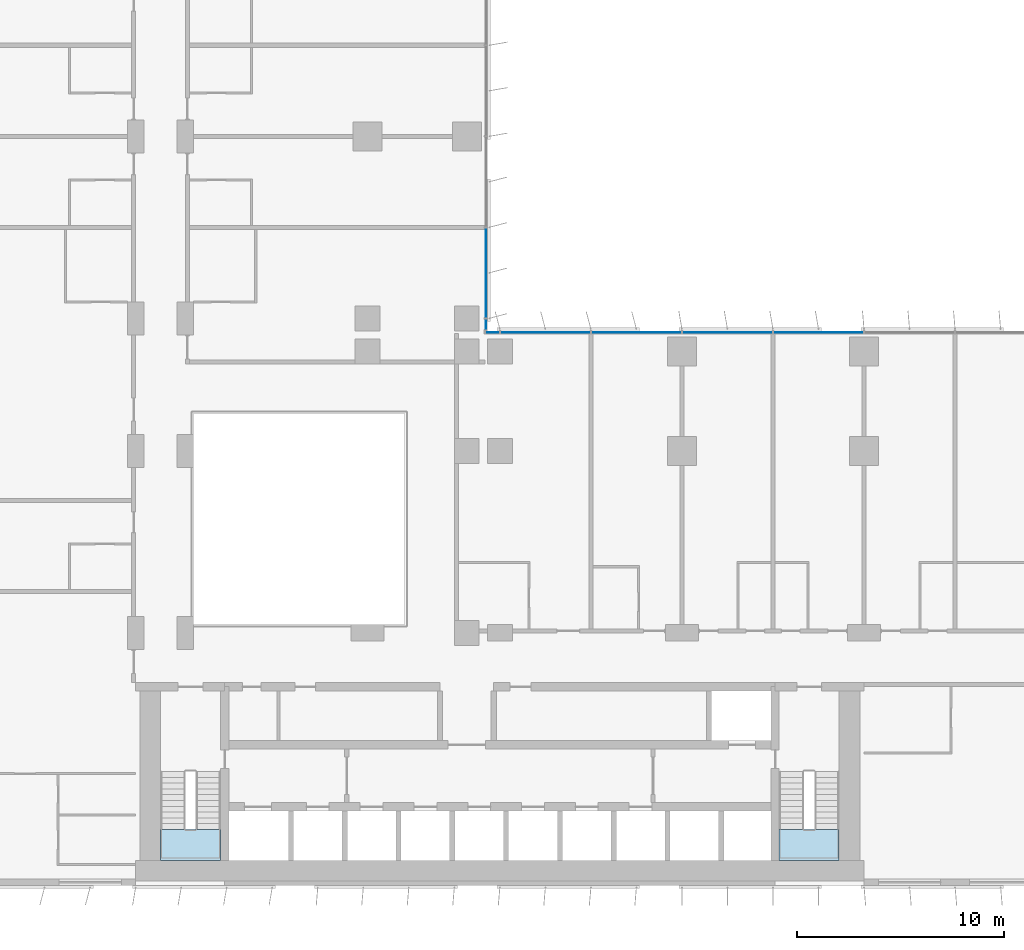
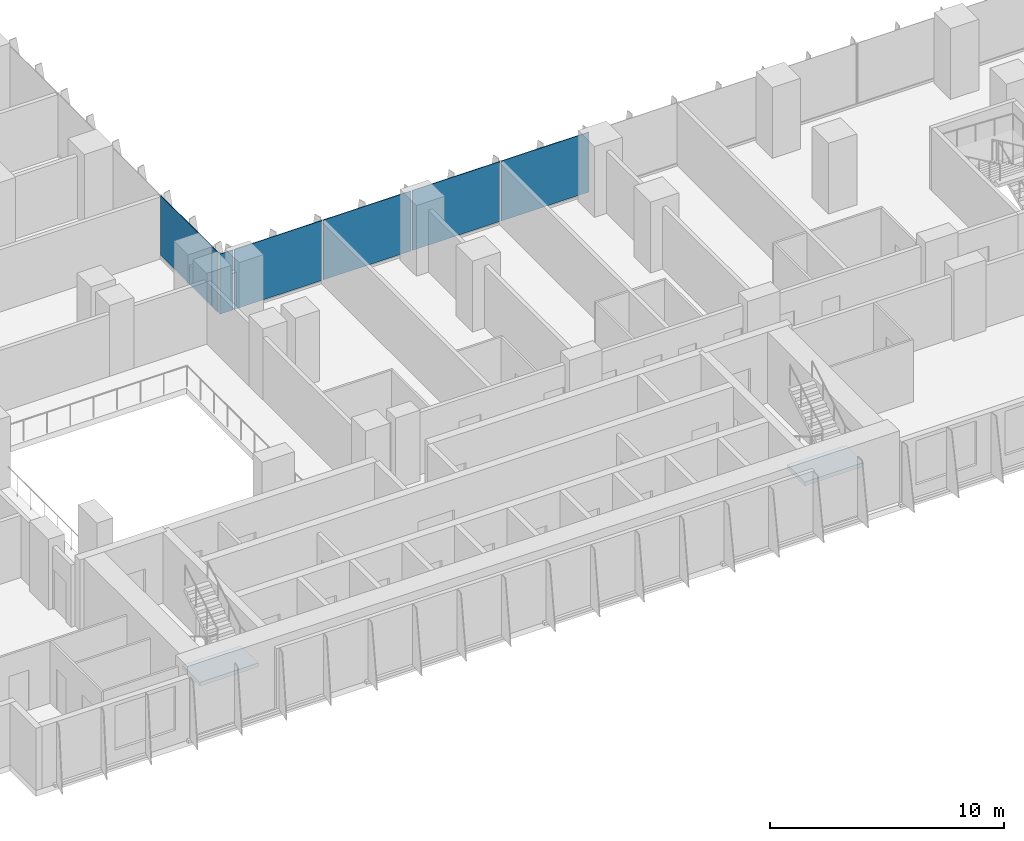
# One storey, part 10 of 23: 7 plates, 2 slabs, 4 elements without a shape of their own.
"""IFC4 building model written with IfcOpenShell, lengths in metres."""

import ifcopenshell
import ifcopenshell.guid

model = None  # the IFC model being written
_history = None  # IfcOwnerHistory: only IFC2X3 demands one
_inside = {}  # id of a spatial element -> (the spatial element, [elements in it])
_under = {}  # id of a project, library or spatial element -> (it, [spatial elements below it])
_declared = {}  # id of a project -> (the project, [libraries it declares])
_typed = {}  # id of a type object -> (the type object, [elements of that type])
_made_of = {}  # id of a material, layer set ... -> (it, [elements and type objects made of it])


def new_model(schema):
    """Start an empty IFC model of exactly this schema.

    Asked for "IFC4X3", IfcOpenShell would pick the latest addendum, in which some entities
    have other attributes; the version numbers below select the first issue.
    IFC2X3 requires an IfcOwnerHistory on every rooted entity: one is made here for all.
    """
    global model, _history
    if schema == "IFC4X3":
        model = ifcopenshell.file(schema_version=(4, 3, 0, 0))
    else:
        model = ifcopenshell.file(schema=schema)
    _inside.clear()
    _under.clear()
    _declared.clear()
    _typed.clear()
    _made_of.clear()
    _history = None
    if model.schema == "IFC2X3":
        org = make("IfcOrganization", Name="unknown")
        user = make(
            "IfcPersonAndOrganization",
            ThePerson=make("IfcPerson", FamilyName="unknown"),
            TheOrganization=org,
        )
        app = make(
            "IfcApplication",
            ApplicationDeveloper=org,
            Version="unknown",
            ApplicationFullName="unknown",
            ApplicationIdentifier="unknown",
        )
        _history = make(
            "IfcOwnerHistory",
            OwningUser=user,
            OwningApplication=app,
            ChangeAction="ADDED",
            CreationDate=0,
        )
    return model


def make(cls, **values):
    """One entity of the class cls with the attributes given. An attribute that is None is left unset."""
    return model.create_entity(
        cls, **{name: value for name, value in values.items() if value is not None}
    )


def rooted(cls, **values):
    """An entity with a GlobalId (a new one), such as an element, a storey or a relation."""
    return make(cls, GlobalId=ifcopenshell.guid.new(), OwnerHistory=_history, **values)


def si_unit(unit_type, name, prefix=None):
    """IfcSIUnit, for example si_unit("LENGTHUNIT", "METRE", prefix="MILLI")."""
    return make("IfcSIUnit", UnitType=unit_type, Prefix=prefix, Name=name)


def assignment(units):
    """IfcUnitAssignment: the units of a project."""
    return None if units is None else make("IfcUnitAssignment", Units=units)


def point(xyz):
    """IfcCartesianPoint."""
    return None if xyz is None else make("IfcCartesianPoint", Coordinates=xyz)


def direction(xyz):
    """IfcDirection."""
    return None if xyz is None else make("IfcDirection", DirectionRatios=xyz)


def frame(location, z_axis=None, x_axis=None):
    """IfcAxis2Placement3D, a coordinate frame: its origin and axes. An axis left out is left unset."""
    return make(
        "IfcAxis2Placement3D",
        Location=point(location),
        Axis=direction(z_axis),
        RefDirection=direction(x_axis),
    )


def frame_2d(location, x_axis=None):
    """IfcAxis2Placement2D, a coordinate frame in the plane: its origin and x axis."""
    return make(
        "IfcAxis2Placement2D", Location=point(location), RefDirection=direction(x_axis)
    )


def origin():
    """The frame at (0, 0, 0) with its axes left unset."""
    return frame((0.0, 0.0, 0.0))


def origin_2d():
    """The frame at (0, 0) in the plane with its x axis left unset."""
    return frame_2d((0.0, 0.0))


def place(relative_to, where):
    """IfcLocalPlacement: puts the frame where relative to a parent placement (None: the world)."""
    return make(
        "IfcLocalPlacement", PlacementRelTo=relative_to, RelativePlacement=where
    )


def context(
    kind, dimensions, precision=None, world=None, true_north=None, identifier=None
):
    """IfcGeometricRepresentationContext, for example the 3D "Model" context."""
    return make(
        "IfcGeometricRepresentationContext",
        ContextIdentifier=identifier,
        ContextType=kind,
        CoordinateSpaceDimension=dimensions,
        Precision=precision,
        WorldCoordinateSystem=world,
        TrueNorth=true_north,
    )


def subcontext(parent, identifier, kind, view, scale=None):
    """IfcGeometricRepresentationSubContext, for example "Body" below "Model"."""
    return make(
        "IfcGeometricRepresentationSubContext",
        ContextIdentifier=identifier,
        ContextType=kind,
        ParentContext=parent,
        TargetScale=scale,
        TargetView=view,
    )


def project(units=None, contexts=None):
    """IfcProject with its units and contexts."""
    return rooted(
        "IfcProject",
        Name="project",
        RepresentationContexts=contexts,
        UnitsInContext=assignment(units),
    )


def spatial(cls, under=None, at=None, **own):
    """A site, building, storey or space (cls), placed at a placement, below another one or the project."""
    s = rooted(cls, ObjectPlacement=at, **own)
    if under is not None:
        _under.setdefault(under.id(), (under, []))[1].append(s)
    return s


def polyline(points):
    """IfcPolyline through the points."""
    return make("IfcPolyline", Points=[point(p) for p in points])


def profile(cls, at=None, kind="AREA", **sizes):
    """A parametric profile (cls). Its sizes go by their IFC names, for example OverallWidth=200.0."""
    return make(cls, ProfileType=kind, Position=at, **sizes)


def rectangle(**sizes):
    """IfcRectangleProfileDef."""
    return profile("IfcRectangleProfileDef", **sizes)


def outline(outer, holes=None, kind="AREA"):
    """IfcArbitraryClosedProfileDef: a profile drawn as a closed curve; with holes, ...WithVoids."""
    if holes is None:
        return make("IfcArbitraryClosedProfileDef", ProfileType=kind, OuterCurve=outer)
    return make(
        "IfcArbitraryProfileDefWithVoids",
        ProfileType=kind,
        OuterCurve=outer,
        InnerCurves=holes,
    )


def extrude(swept, where, along, depth):
    """IfcExtrudedAreaSolid: the profile swept, set in the frame where, extruded along a direction by depth."""
    return make(
        "IfcExtrudedAreaSolid",
        SweptArea=swept,
        Position=where,
        ExtrudedDirection=direction(along),
        Depth=depth,
    )


def shape(context_of_items, identifier, shape_type, items):
    """IfcShapeRepresentation: the items that make up one representation, for example the "Body"."""
    return make(
        "IfcShapeRepresentation",
        ContextOfItems=context_of_items,
        RepresentationIdentifier=identifier,
        RepresentationType=shape_type,
        Items=items,
    )


def source(mapping_origin, context_of_items, identifier, shape_type, items):
    """IfcRepresentationMap: a shape defined once, which mapped items show again and again."""
    return make(
        "IfcRepresentationMap",
        MappingOrigin=mapping_origin,
        MappedRepresentation=shape(context_of_items, identifier, shape_type, items),
    )


def transform(
    local_origin,
    x_axis=None,
    y_axis=None,
    z_axis=None,
    scale=None,
    scale2=None,
    scale3=None,
    uniform=True,
):
    """IfcCartesianTransformationOperator3D, or its non-uniform kind. x_axis, y_axis, z_axis: its Axis1, 2, 3."""
    if uniform:
        return make(
            "IfcCartesianTransformationOperator3D",
            Axis1=direction(x_axis),
            Axis2=direction(y_axis),
            LocalOrigin=point(local_origin),
            Scale=scale,
            Axis3=direction(z_axis),
        )
    return make(
        "IfcCartesianTransformationOperator3DnonUniform",
        Axis1=direction(x_axis),
        Axis2=direction(y_axis),
        LocalOrigin=point(local_origin),
        Scale=scale,
        Axis3=direction(z_axis),
        Scale2=scale2,
        Scale3=scale3,
    )


def mapped(mapping_source, mapping_target):
    """IfcMappedItem: shows the shape of a source again, moved by a transform."""
    return make(
        "IfcMappedItem", MappingSource=mapping_source, MappingTarget=mapping_target
    )


def material(Name=None, Category=None):
    """IfcMaterial."""
    return make("IfcMaterial", Name=Name, Category=Category)


def layer(
    of_material, thickness, ventilated=None, Name=None, Category=None, Priority=None
):
    """IfcMaterialLayer: one layer of a wall or slab, of a material (None: an air gap)."""
    return make(
        "IfcMaterialLayer",
        Material=of_material,
        LayerThickness=thickness,
        IsVentilated=ventilated,
        Name=Name,
        Category=Category,
        Priority=Priority,
    )


def layer_set(layers, Name=None):
    """IfcMaterialLayerSet."""
    return make("IfcMaterialLayerSet", MaterialLayers=layers, LayerSetName=Name)


def made_of(thing, what):
    """Note that an element or type object is made of a material, layer set ...; save() writes the relation."""
    if what is not None:
        _made_of.setdefault(what.id(), (what, []))[1].append(thing)
    return thing


def type_object(cls, material=None, **own):
    """A type object (cls), such as IfcWallType, which elements share."""
    return made_of(rooted(cls, **own), material)


def element(
    cls,
    number,
    at=None,
    inside=None,
    cuts=None,
    type_object=None,
    material=None,
    context=None,
    identifier="Body",
    shape_type=None,
    held_by="IfcProductDefinitionShape",
    body=None,
    shapes=None,
    **own,
):
    """One element of the class cls, such as IfcWall. Its Tag is "e" and its number.

    at: its placement. inside: the storey or other place that contains it. cuts: it is an
    opening in that element (IfcRelVoidsElement). A single representation is given by context,
    identifier, shape_type and body (its items); several are given by shapes. held_by: the class
    of the entity that holds the representations. save() writes the other relations.
    """
    e = rooted(cls, Tag="e%d" % number, ObjectPlacement=at, **own)
    if body is not None:
        shapes = [shape(context, identifier, shape_type, body)]
    if shapes is not None:
        e.Representation = make(held_by, Representations=shapes)
    if inside is not None:
        _inside.setdefault(inside.id(), (inside, []))[1].append(e)
    if cuts is not None:
        rooted(
            "IfcRelVoidsElement", RelatingBuildingElement=cuts, RelatedOpeningElement=e
        )
    if type_object is not None:
        _typed.setdefault(type_object.id(), (type_object, []))[1].append(e)
    return made_of(e, material)


def aggregate(whole, parts):
    """IfcRelAggregates: a whole, such as a stair, and the parts it consists of."""
    return rooted("IfcRelAggregates", RelatingObject=whole, RelatedObjects=parts)


def save(model, path):
    """Write the relations noted so far, then the file.

    IfcRelAggregates (storeys below a building ...), IfcRelContainedInSpatialStructure (elements
    in a storey), IfcRelDefinesByType, IfcRelAssociatesMaterial and IfcRelDeclares: one each for
    every whole, place, type object, material and project.
    """
    for whole, parts in _under.values():
        aggregate(whole, parts)
    for where, things in _inside.values():
        rooted(
            "IfcRelContainedInSpatialStructure",
            RelatedElements=things,
            RelatingStructure=where,
        )
    for kind, things in _typed.values():
        rooted("IfcRelDefinesByType", RelatedObjects=things, RelatingType=kind)
    for what, things in _made_of.values():
        rooted("IfcRelAssociatesMaterial", RelatedObjects=things, RelatingMaterial=what)
    for by, libraries in _declared.values():
        rooted("IfcRelDeclares", RelatingContext=by, RelatedDefinitions=libraries)
    model.write(path)


model = new_model("IFC4")

# Units and contexts
model_context = context("Model", 3, precision=1e-05, world=origin(), true_north=direction((0.0, 1.0)))
body_context = subcontext(model_context, "Body", "Model", "MODEL_VIEW")
ifc_project = project(units=[si_unit("LENGTHUNIT", "METRE"), si_unit("AREAUNIT", "SQUARE_METRE"), si_unit("VOLUMEUNIT", "CUBIC_METRE"), si_unit("PLANEANGLEUNIT", "RADIAN"), si_unit("MASSUNIT", "GRAM", prefix="KILO")], contexts=[model_context])

# Site, building, storey
site_placement = place(None, origin())
site = spatial("IfcSite", under=ifc_project, at=site_placement, CompositionType="ELEMENT")
building_placement = place(site_placement, origin())
building = spatial("IfcBuilding", under=site, at=building_placement, Name="Kemantara Hotel Tower", CompositionType="ELEMENT")
storey_placement = place(building_placement, frame((0.0, 0.0, 67.300048828125)))
storey = spatial("IfcBuildingStorey", under=building, at=storey_placement, Name="L15", CompositionType="ELEMENT", Elevation=67.300048828125)

# Stair, slab
ifc_material_1 = material(Name="Concrete fc 40 MPa", Category="concrete")
stair_type = type_object("IfcStairType", Name="Stair 1200 wide 22 risers of 168 x 280 mm", PredefinedType="HALF_TURN_STAIR", material=ifc_material_1)
stair_1_placement = place(storey_placement, origin())
stair_1 = element("IfcStair", 1, at=stair_1_placement, inside=storey, type_object=stair_type, Name="L15 Exit stair ST1", PredefinedType="HALF_TURN_STAIR")
ifc_layer_1 = layer(ifc_material_1, 0.199951171875)
ifc_layer_set_1 = layer_set([ifc_layer_1], Name="Concrete fc 40 MPa")
slab_type = type_object("IfcSlabType", Name="Stair landing 200 mm", PredefinedType="LANDING", material=ifc_layer_set_1)
slab_1_placement = place(storey_placement, frame((0.0, 0.0, 1.64990234375)))
slab_1 = element("IfcSlab", 2, at=slab_1_placement, type_object=slab_type, Name="ST1 landing 1", PredefinedType="LANDING", context=body_context, shape_type="SweptSolid", body=[
    extrude(outline(polyline([(11.0, 2.699951171875), (11.0, 1.199951171875), (13.89990234375, 1.199951171875), (13.89990234375, 2.699951171875), (11.0, 2.699951171875)])), origin(), (0.0, 0.0, 1.0), 0.199951171875),
])
aggregate(stair_1, [slab_1])

stair_2_placement = place(storey_placement, origin())
stair_2 = element("IfcStair", 3, at=stair_2_placement, inside=storey, type_object=stair_type, Name="L15 Exit stair ST2", PredefinedType="HALF_TURN_STAIR")
slab_2_placement = place(storey_placement, frame((0.0, 0.0, 1.64990234375)))
slab_2 = element("IfcSlab", 4, at=slab_2_placement, type_object=slab_type, Name="ST2 landing 1", PredefinedType="LANDING", context=body_context, shape_type="SweptSolid", body=[
    extrude(outline(polyline([(40.89990234375, 2.699951171875), (40.89990234375, 1.199951171875), (43.800048828125, 1.199951171875), (43.800048828125, 2.699951171875), (40.89990234375, 2.699951171875)])), origin(), (0.0, 0.0, 1.0), 0.199951171875),
])
aggregate(stair_2, [slab_2])

# Curtain wall, plates
ifc_material_2 = material(Name="Low-E tinted double insulated glass 36 mm", Category="glass")
curtain_wall_type = type_object("IfcCurtainWallType", Name="TOWER CURTAIN WALL, FRONT FACES", PredefinedType="USERDEFINED", material=ifc_material_2)
curtain_wall_1_placement = place(storey_placement, origin())
curtain_wall_1 = element("IfcCurtainWall", 5, at=curtain_wall_1_placement, inside=storey, type_object=curtain_wall_type, Name="CW4 L15 T1-R07-1", ObjectType="TOWER CURTAIN WALL, FRONT FACES", PredefinedType="USERDEFINED")
ifc_layer_2 = layer(ifc_material_2, 0.035888671875)
ifc_layer_set_2 = layer_set([ifc_layer_2], Name="Low-E tinted double insulated glass 36 mm")
plate_type = type_object("IfcPlateType", Name="TOWER CURTAIN WALL, FRONT FACES PANEL", PredefinedType="CURTAIN_PANEL", material=ifc_layer_set_2)
shared_shape_1 = source(origin(), body_context, "Body", "SweptSolid", [
    extrude(rectangle(XDim=4.340087890625, YDim=0.035888671875, at=origin_2d()), origin(), (0.0, 0.0, 1.0), 3.1298828125),
])
plate_1_placement = place(storey_placement, frame((42.800048828125, 26.72509765625, 0.1201171875), z_axis=(0.0, 0.0, 1.0), x_axis=(-1.0, 0.0, 0.0)))
plate_1 = element("IfcPlate", 6, at=plate_1_placement, type_object=plate_type, Name="CW4 glass panel T1-R07-1.9", PredefinedType="CURTAIN_PANEL", context=body_context, shape_type="MappedRepresentation", body=[
    mapped(shared_shape_1, transform((0.0, 0.0, 0.0))),
])
plate_2_placement = place(storey_placement, frame((38.39990234375, 26.72509765625, 0.1201171875), z_axis=(0.0, 0.0, 1.0), x_axis=(-1.0, 0.0, 0.0)))
plate_2 = element("IfcPlate", 7, at=plate_2_placement, type_object=plate_type, Name="CW4 glass panel T1-R07-1.10", PredefinedType="CURTAIN_PANEL", context=body_context, shape_type="MappedRepresentation", body=[
    mapped(shared_shape_1, transform((0.0, 0.0, 0.0))),
])
plate_3_placement = place(storey_placement, frame((34.0, 26.72509765625, 0.1201171875), z_axis=(0.0, 0.0, 1.0), x_axis=(-1.0, 0.0, 0.0)))
plate_3 = element("IfcPlate", 8, at=plate_3_placement, type_object=plate_type, Name="CW4 glass panel T1-R07-1.11", PredefinedType="CURTAIN_PANEL", context=body_context, shape_type="MappedRepresentation", body=[
    mapped(shared_shape_1, transform((0.0, 0.0, 0.0))),
])
plate_4_placement = place(storey_placement, frame((29.60009765625, 26.72509765625, 0.1201171875), z_axis=(0.0, 0.0, 1.0), x_axis=(-1.0, 0.0, 0.0)))
plate_4 = element("IfcPlate", 9, at=plate_4_placement, type_object=plate_type, Name="CW4 glass panel T1-R07-1.12", PredefinedType="CURTAIN_PANEL", context=body_context, shape_type="MappedRepresentation", body=[
    mapped(shared_shape_1, transform((0.0, 0.0, 0.0))),
])

# Curtain wall, plate
curtain_wall_2_placement = place(storey_placement, origin())
curtain_wall_2 = element("IfcCurtainWall", 10, at=curtain_wall_2_placement, inside=storey, type_object=curtain_wall_type, Name="CW4 L15 T1-R08-1", ObjectType="TOWER CURTAIN WALL, FRONT FACES", PredefinedType="USERDEFINED")
plate_5_placement = place(storey_placement, frame((26.72509765625, 29.60009765625, 0.1201171875), z_axis=(0.0, 0.0, 1.0), x_axis=(0.0, 1.0, 0.0)))
plate_5 = element("IfcPlate", 11, at=plate_5_placement, type_object=plate_type, Name="CW4 glass panel T1-R08-1.2", PredefinedType="CURTAIN_PANEL", context=body_context, shape_type="MappedRepresentation", body=[
    mapped(shared_shape_1, transform((0.0, 0.0, 0.0))),
])

# Plate
shared_shape_2 = source(origin(), body_context, "Body", "SweptSolid", [
    extrude(rectangle(XDim=0.659912109375, YDim=0.035888671875, at=origin_2d()), origin(), (0.0, 0.0, 1.0), 3.1298828125),
])
plate_6_placement = place(storey_placement, frame((27.0400390625, 26.72509765625, 0.1201171875), z_axis=(0.0, 0.0, 1.0), x_axis=(-1.0, 0.0, 0.0)))
plate_6 = element("IfcPlate", 12, at=plate_6_placement, type_object=plate_type, Name="CW4 glass panel T1-R07-1.13", PredefinedType="CURTAIN_PANEL", context=body_context, shape_type="MappedRepresentation", body=[
    mapped(shared_shape_2, transform((0.0, 0.0, 0.0))),
])

aggregate(curtain_wall_1, [plate_1, plate_2, plate_3, plate_4, plate_6])

shared_shape_3 = source(origin(), body_context, "Body", "SweptSolid", [
    extrude(rectangle(XDim=0.510009765625, YDim=0.035888671875, at=origin_2d()), origin(), (0.0, 0.0, 1.0), 3.1298828125),
])
plate_7_placement = place(storey_placement, frame((26.72509765625, 27.114990234375, 0.1201171875), z_axis=(0.0, 0.0, 1.0), x_axis=(0.0, 1.0, 0.0)))
plate_7 = element("IfcPlate", 13, at=plate_7_placement, type_object=plate_type, Name="CW4 glass panel T1-R08-1.1", PredefinedType="CURTAIN_PANEL", context=body_context, shape_type="MappedRepresentation", body=[
    mapped(shared_shape_3, transform((0.0, 0.0, 0.0))),
])

aggregate(curtain_wall_2, [plate_7, plate_5])

save(model, "model.ifc")
